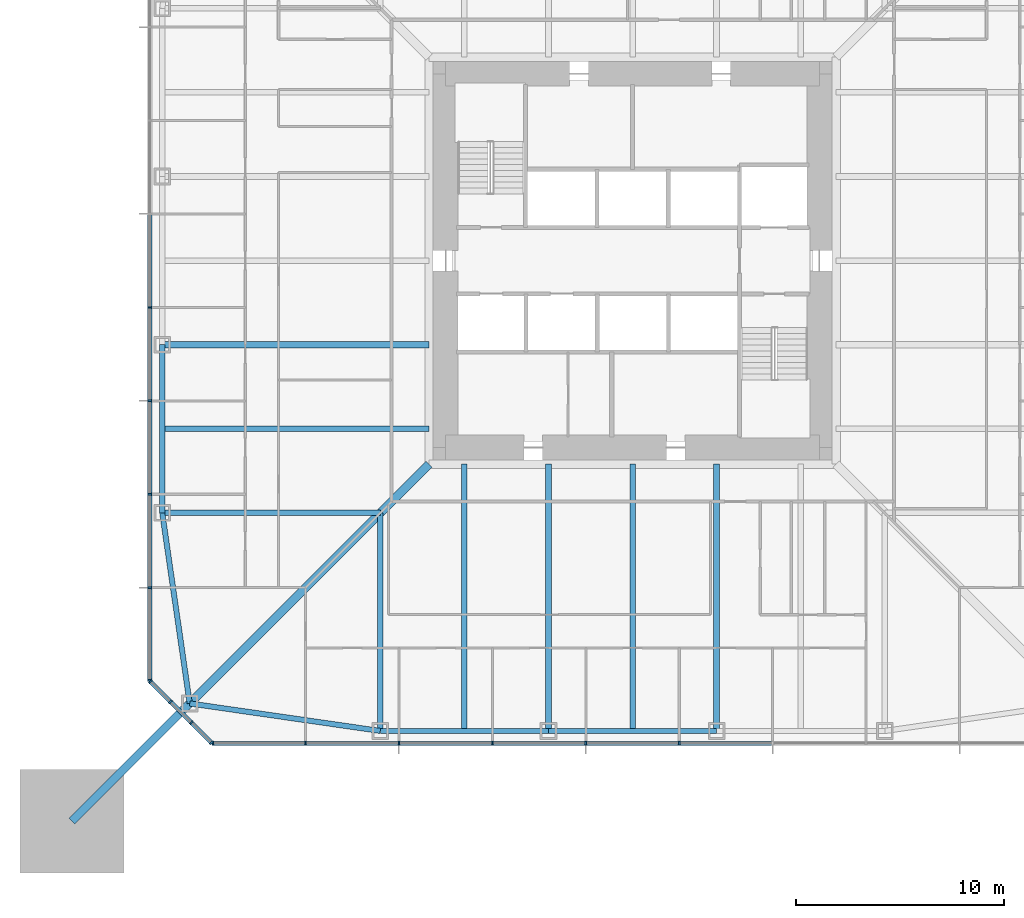
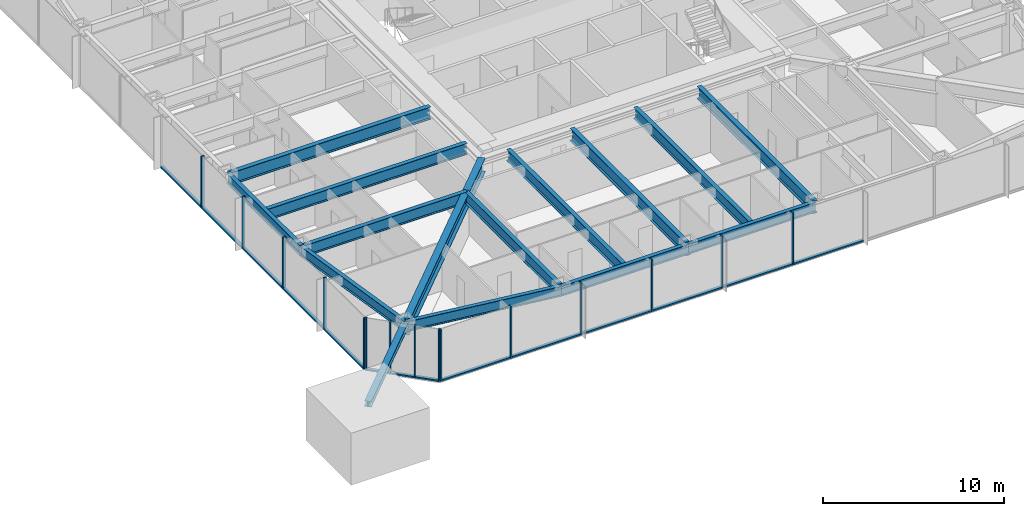
# One storey, part 3 of 26: 30 members, 14 beams, 3 elements without a shape of their own.
"""IFC4 building model written with IfcOpenShell, lengths in metres."""

import ifcopenshell
import ifcopenshell.guid

model = None  # the IFC model being written
_history = None  # IfcOwnerHistory: only IFC2X3 demands one
_inside = {}  # id of a spatial element -> (the spatial element, [elements in it])
_under = {}  # id of a project, library or spatial element -> (it, [spatial elements below it])
_declared = {}  # id of a project -> (the project, [libraries it declares])
_typed = {}  # id of a type object -> (the type object, [elements of that type])
_made_of = {}  # id of a material, layer set ... -> (it, [elements and type objects made of it])


def new_model(schema):
    """Start an empty IFC model of exactly this schema.

    Asked for "IFC4X3", IfcOpenShell would pick the latest addendum, in which some entities
    have other attributes; the version numbers below select the first issue.
    IFC2X3 requires an IfcOwnerHistory on every rooted entity: one is made here for all.
    """
    global model, _history
    if schema == "IFC4X3":
        model = ifcopenshell.file(schema_version=(4, 3, 0, 0))
    else:
        model = ifcopenshell.file(schema=schema)
    _inside.clear()
    _under.clear()
    _declared.clear()
    _typed.clear()
    _made_of.clear()
    _history = None
    if model.schema == "IFC2X3":
        org = make("IfcOrganization", Name="unknown")
        user = make(
            "IfcPersonAndOrganization",
            ThePerson=make("IfcPerson", FamilyName="unknown"),
            TheOrganization=org,
        )
        app = make(
            "IfcApplication",
            ApplicationDeveloper=org,
            Version="unknown",
            ApplicationFullName="unknown",
            ApplicationIdentifier="unknown",
        )
        _history = make(
            "IfcOwnerHistory",
            OwningUser=user,
            OwningApplication=app,
            ChangeAction="ADDED",
            CreationDate=0,
        )
    return model


def make(cls, **values):
    """One entity of the class cls with the attributes given. An attribute that is None is left unset."""
    return model.create_entity(
        cls, **{name: value for name, value in values.items() if value is not None}
    )


def rooted(cls, **values):
    """An entity with a GlobalId (a new one), such as an element, a storey or a relation."""
    return make(cls, GlobalId=ifcopenshell.guid.new(), OwnerHistory=_history, **values)


def si_unit(unit_type, name, prefix=None):
    """IfcSIUnit, for example si_unit("LENGTHUNIT", "METRE", prefix="MILLI")."""
    return make("IfcSIUnit", UnitType=unit_type, Prefix=prefix, Name=name)


def assignment(units):
    """IfcUnitAssignment: the units of a project."""
    return None if units is None else make("IfcUnitAssignment", Units=units)


def point(xyz):
    """IfcCartesianPoint."""
    return None if xyz is None else make("IfcCartesianPoint", Coordinates=xyz)


def direction(xyz):
    """IfcDirection."""
    return None if xyz is None else make("IfcDirection", DirectionRatios=xyz)


def frame(location, z_axis=None, x_axis=None):
    """IfcAxis2Placement3D, a coordinate frame: its origin and axes. An axis left out is left unset."""
    return make(
        "IfcAxis2Placement3D",
        Location=point(location),
        Axis=direction(z_axis),
        RefDirection=direction(x_axis),
    )


def frame_2d(location, x_axis=None):
    """IfcAxis2Placement2D, a coordinate frame in the plane: its origin and x axis."""
    return make(
        "IfcAxis2Placement2D", Location=point(location), RefDirection=direction(x_axis)
    )


def origin():
    """The frame at (0, 0, 0) with its axes left unset."""
    return frame((0.0, 0.0, 0.0))


def origin_2d():
    """The frame at (0, 0) in the plane with its x axis left unset."""
    return frame_2d((0.0, 0.0))


def place(relative_to, where):
    """IfcLocalPlacement: puts the frame where relative to a parent placement (None: the world)."""
    return make(
        "IfcLocalPlacement", PlacementRelTo=relative_to, RelativePlacement=where
    )


def context(
    kind, dimensions, precision=None, world=None, true_north=None, identifier=None
):
    """IfcGeometricRepresentationContext, for example the 3D "Model" context."""
    return make(
        "IfcGeometricRepresentationContext",
        ContextIdentifier=identifier,
        ContextType=kind,
        CoordinateSpaceDimension=dimensions,
        Precision=precision,
        WorldCoordinateSystem=world,
        TrueNorth=true_north,
    )


def subcontext(parent, identifier, kind, view, scale=None):
    """IfcGeometricRepresentationSubContext, for example "Body" below "Model"."""
    return make(
        "IfcGeometricRepresentationSubContext",
        ContextIdentifier=identifier,
        ContextType=kind,
        ParentContext=parent,
        TargetScale=scale,
        TargetView=view,
    )


def project(units=None, contexts=None):
    """IfcProject with its units and contexts."""
    return rooted(
        "IfcProject",
        Name="project",
        RepresentationContexts=contexts,
        UnitsInContext=assignment(units),
    )


def spatial(cls, under=None, at=None, **own):
    """A site, building, storey or space (cls), placed at a placement, below another one or the project."""
    s = rooted(cls, ObjectPlacement=at, **own)
    if under is not None:
        _under.setdefault(under.id(), (under, []))[1].append(s)
    return s


def profile(cls, at=None, kind="AREA", **sizes):
    """A parametric profile (cls). Its sizes go by their IFC names, for example OverallWidth=200.0."""
    return make(cls, ProfileType=kind, Position=at, **sizes)


def rectangle(**sizes):
    """IfcRectangleProfileDef."""
    return profile("IfcRectangleProfileDef", **sizes)


def i_section(**sizes):
    """IfcIShapeProfileDef."""
    return profile("IfcIShapeProfileDef", **sizes)


def extrude(swept, where, along, depth):
    """IfcExtrudedAreaSolid: the profile swept, set in the frame where, extruded along a direction by depth."""
    return make(
        "IfcExtrudedAreaSolid",
        SweptArea=swept,
        Position=where,
        ExtrudedDirection=direction(along),
        Depth=depth,
    )


def shape(context_of_items, identifier, shape_type, items):
    """IfcShapeRepresentation: the items that make up one representation, for example the "Body"."""
    return make(
        "IfcShapeRepresentation",
        ContextOfItems=context_of_items,
        RepresentationIdentifier=identifier,
        RepresentationType=shape_type,
        Items=items,
    )


def material(Name=None, Category=None):
    """IfcMaterial."""
    return make("IfcMaterial", Name=Name, Category=Category)


def material_profile(
    of_material, cross_section, Name=None, Category=None, Priority=None
):
    """IfcMaterialProfile: a cross section and its material."""
    return make(
        "IfcMaterialProfile",
        Name=Name,
        Material=of_material,
        Profile=cross_section,
        Priority=Priority,
        Category=Category,
    )


def profile_set(profiles, Name=None, composite=None):
    """IfcMaterialProfileSet."""
    return make(
        "IfcMaterialProfileSet",
        Name=Name,
        MaterialProfiles=profiles,
        CompositeProfile=composite,
    )


def made_of(thing, what):
    """Note that an element or type object is made of a material, layer set ...; save() writes the relation."""
    if what is not None:
        _made_of.setdefault(what.id(), (what, []))[1].append(thing)
    return thing


def type_object(cls, material=None, **own):
    """A type object (cls), such as IfcWallType, which elements share."""
    return made_of(rooted(cls, **own), material)


def element(
    cls,
    number,
    at=None,
    inside=None,
    cuts=None,
    type_object=None,
    material=None,
    context=None,
    identifier="Body",
    shape_type=None,
    held_by="IfcProductDefinitionShape",
    body=None,
    shapes=None,
    **own,
):
    """One element of the class cls, such as IfcWall. Its Tag is "e" and its number.

    at: its placement. inside: the storey or other place that contains it. cuts: it is an
    opening in that element (IfcRelVoidsElement). A single representation is given by context,
    identifier, shape_type and body (its items); several are given by shapes. held_by: the class
    of the entity that holds the representations. save() writes the other relations.
    """
    e = rooted(cls, Tag="e%d" % number, ObjectPlacement=at, **own)
    if body is not None:
        shapes = [shape(context, identifier, shape_type, body)]
    if shapes is not None:
        e.Representation = make(held_by, Representations=shapes)
    if inside is not None:
        _inside.setdefault(inside.id(), (inside, []))[1].append(e)
    if cuts is not None:
        rooted(
            "IfcRelVoidsElement", RelatingBuildingElement=cuts, RelatedOpeningElement=e
        )
    if type_object is not None:
        _typed.setdefault(type_object.id(), (type_object, []))[1].append(e)
    return made_of(e, material)


def aggregate(whole, parts):
    """IfcRelAggregates: a whole, such as a stair, and the parts it consists of."""
    return rooted("IfcRelAggregates", RelatingObject=whole, RelatedObjects=parts)


def save(model, path):
    """Write the relations noted so far, then the file.

    IfcRelAggregates (storeys below a building ...), IfcRelContainedInSpatialStructure (elements
    in a storey), IfcRelDefinesByType, IfcRelAssociatesMaterial and IfcRelDeclares: one each for
    every whole, place, type object, material and project.
    """
    for whole, parts in _under.values():
        aggregate(whole, parts)
    for where, things in _inside.values():
        rooted(
            "IfcRelContainedInSpatialStructure",
            RelatedElements=things,
            RelatingStructure=where,
        )
    for kind, things in _typed.values():
        rooted("IfcRelDefinesByType", RelatedObjects=things, RelatingType=kind)
    for what, things in _made_of.values():
        rooted("IfcRelAssociatesMaterial", RelatedObjects=things, RelatingMaterial=what)
    for by, libraries in _declared.values():
        rooted("IfcRelDeclares", RelatingContext=by, RelatedDefinitions=libraries)
    model.write(path)


model = new_model("IFC4")

# Units and contexts
model_context = context("Model", 3, precision=1e-05, world=origin(), true_north=direction((0.0, 1.0)))
body_context = subcontext(model_context, "Body", "Model", "MODEL_VIEW")
ifc_project = project(units=[si_unit("LENGTHUNIT", "METRE"), si_unit("AREAUNIT", "SQUARE_METRE"), si_unit("VOLUMEUNIT", "CUBIC_METRE"), si_unit("PLANEANGLEUNIT", "RADIAN"), si_unit("MASSUNIT", "GRAM", prefix="KILO")], contexts=[model_context])

# Site, building, storey
site_placement = place(None, origin())
site = spatial("IfcSite", under=ifc_project, at=site_placement, CompositionType="ELEMENT")
building_placement = place(site_placement, origin())
building = spatial("IfcBuilding", under=site, at=building_placement, Name="Iwan Alto Co-Living Towers", CompositionType="ELEMENT")
storey_placement = place(building_placement, frame((0.0, 0.0, 29.0)))
storey = spatial("IfcBuildingStorey", under=building, at=storey_placement, Name="L07", CompositionType="ELEMENT", Elevation=29.0)

# Curtain wall, members
ifc_material_1 = material(Name="Bronze aluminium unitised frame", Category="aluminium")
curtain_wall_type_1 = type_object("IfcCurtainWallType", Name="CURTAIN WALL CW-A", PredefinedType="NOTDEFINED", material=ifc_material_1)
curtain_wall_1_placement = place(storey_placement, origin())
curtain_wall_1 = element("IfcCurtainWall", 1, at=curtain_wall_1_placement, inside=storey, type_object=curtain_wall_type_1, Name="T1 curtain wall S L07", PredefinedType="NOTDEFINED")
ifc_material_2 = material(Name="Aluminium 6063-T6 bronze anodised", Category="aluminium")
ifc_material_profile_1 = material_profile(ifc_material_2, rectangle(XDim=0.199951171875, YDim=0.080078125, at=origin_2d()), Name="AL 80X200")
ifc_profile_set_1 = profile_set([ifc_material_profile_1], Name="Aluminium 6063-T6 bronze anodised")
member_type_1 = type_object("IfcMemberType", Name="CW-A MULLION 80X200", PredefinedType="MULLION", material=ifc_profile_set_1)
member_1_placement = place(storey_placement, frame((-20.2099609375, -23.25, 0.0), z_axis=(0.0, 0.0, 1.0), x_axis=(0.0, 1.0, 0.0)))
member_1 = element("IfcMember", 2, at=member_1_placement, type_object=member_type_1, Name="CW-A mullion 1", PredefinedType="MULLION", context=body_context, shape_type="SweptSolid", body=[
    extrude(rectangle(XDim=0.199951171875, YDim=0.080078125, at=origin_2d()), origin(), (0.0, 0.0, 1.0), 3.5),
])
member_2_placement = place(storey_placement, frame((-15.75, -23.25, 0.0), z_axis=(0.0, 0.0, 1.0), x_axis=(0.0, 1.0, 0.0)))
member_2 = element("IfcMember", 3, at=member_2_placement, type_object=member_type_1, Name="CW-A mullion 2", PredefinedType="MULLION", context=body_context, shape_type="SweptSolid", body=[
    extrude(rectangle(XDim=0.199951171875, YDim=0.080078125, at=origin_2d()), origin(), (0.0, 0.0, 1.0), 3.5),
])
member_3_placement = place(storey_placement, frame((-11.25, -23.25, 0.0), z_axis=(0.0, 0.0, 1.0), x_axis=(0.0, 1.0, 0.0)))
member_3 = element("IfcMember", 4, at=member_3_placement, type_object=member_type_1, Name="CW-A mullion 3", PredefinedType="MULLION", context=body_context, shape_type="SweptSolid", body=[
    extrude(rectangle(XDim=0.199951171875, YDim=0.080078125, at=origin_2d()), origin(), (0.0, 0.0, 1.0), 3.5),
])
member_4_placement = place(storey_placement, frame((-6.75, -23.25, 0.0), z_axis=(0.0, 0.0, 1.0), x_axis=(0.0, 1.0, 0.0)))
member_4 = element("IfcMember", 5, at=member_4_placement, type_object=member_type_1, Name="CW-A mullion 4", PredefinedType="MULLION", context=body_context, shape_type="SweptSolid", body=[
    extrude(rectangle(XDim=0.199951171875, YDim=0.080078125, at=origin_2d()), origin(), (0.0, 0.0, 1.0), 3.5),
])
member_5_placement = place(storey_placement, frame((-2.25, -23.25, 0.0), z_axis=(0.0, 0.0, 1.0), x_axis=(0.0, 1.0, 0.0)))
member_5 = element("IfcMember", 6, at=member_5_placement, type_object=member_type_1, Name="CW-A mullion 5", PredefinedType="MULLION", context=body_context, shape_type="SweptSolid", body=[
    extrude(rectangle(XDim=0.199951171875, YDim=0.080078125, at=origin_2d()), origin(), (0.0, 0.0, 1.0), 3.5),
])
member_6_placement = place(storey_placement, frame((2.25, -23.25, 0.0), z_axis=(0.0, 0.0, 1.0), x_axis=(0.0, 1.0, 0.0)))
member_6 = element("IfcMember", 7, at=member_6_placement, type_object=member_type_1, Name="CW-A mullion 6", PredefinedType="MULLION", context=body_context, shape_type="SweptSolid", body=[
    extrude(rectangle(XDim=0.199951171875, YDim=0.080078125, at=origin_2d()), origin(), (0.0, 0.0, 1.0), 3.5),
])

curtain_wall_2_placement = place(storey_placement, origin())
curtain_wall_2 = element("IfcCurtainWall", 8, at=curtain_wall_2_placement, inside=storey, type_object=curtain_wall_type_1, Name="T1 curtain wall W L07", PredefinedType="NOTDEFINED")
member_7_placement = place(storey_placement, frame((-23.25, -2.25, 0.0), z_axis=(0.0, 0.0, 1.0), x_axis=(1.0, 0.0, 0.0)))
member_7 = element("IfcMember", 9, at=member_7_placement, type_object=member_type_1, Name="CW-A mullion 6", PredefinedType="MULLION", context=body_context, shape_type="SweptSolid", body=[
    extrude(rectangle(XDim=0.199951171875, YDim=0.080078125, at=origin_2d()), origin(), (0.0, 0.0, 1.0), 3.5),
])
member_8_placement = place(storey_placement, frame((-23.25, -6.75, 0.0), z_axis=(0.0, 0.0, 1.0), x_axis=(1.0, 0.0, 0.0)))
member_8 = element("IfcMember", 10, at=member_8_placement, type_object=member_type_1, Name="CW-A mullion 7", PredefinedType="MULLION", context=body_context, shape_type="SweptSolid", body=[
    extrude(rectangle(XDim=0.199951171875, YDim=0.080078125, at=origin_2d()), origin(), (0.0, 0.0, 1.0), 3.5),
])
member_9_placement = place(storey_placement, frame((-23.25, -11.25, 0.0), z_axis=(0.0, 0.0, 1.0), x_axis=(1.0, 0.0, 0.0)))
member_9 = element("IfcMember", 11, at=member_9_placement, type_object=member_type_1, Name="CW-A mullion 8", PredefinedType="MULLION", context=body_context, shape_type="SweptSolid", body=[
    extrude(rectangle(XDim=0.199951171875, YDim=0.080078125, at=origin_2d()), origin(), (0.0, 0.0, 1.0), 3.5),
])
member_10_placement = place(storey_placement, frame((-23.25, -15.75, 0.0), z_axis=(0.0, 0.0, 1.0), x_axis=(1.0, 0.0, 0.0)))
member_10 = element("IfcMember", 12, at=member_10_placement, type_object=member_type_1, Name="CW-A mullion 9", PredefinedType="MULLION", context=body_context, shape_type="SweptSolid", body=[
    extrude(rectangle(XDim=0.199951171875, YDim=0.080078125, at=origin_2d()), origin(), (0.0, 0.0, 1.0), 3.5),
])
member_11_placement = place(storey_placement, frame((-23.25, -20.2099609375, 0.0), z_axis=(0.0, 0.0, 1.0), x_axis=(1.0, 0.0, 0.0)))
member_11 = element("IfcMember", 13, at=member_11_placement, type_object=member_type_1, Name="CW-A mullion 10", PredefinedType="MULLION", context=body_context, shape_type="SweptSolid", body=[
    extrude(rectangle(XDim=0.199951171875, YDim=0.080078125, at=origin_2d()), origin(), (0.0, 0.0, 1.0), 3.5),
])

# Member
ifc_material_3 = material(Name="Aluminium 6063-T6 bronze anodised", Category="aluminium")
ifc_material_profile_2 = material_profile(ifc_material_3, rectangle(XDim=0.199951171875, YDim=0.10009765625, at=origin_2d()), Name="AL 200X100")
ifc_profile_set_2 = profile_set([ifc_material_profile_2], Name="Aluminium 6063-T6 bronze anodised")
member_type_2 = type_object("IfcMemberType", Name="CW-A TRANSOM 200X100", PredefinedType="USERDEFINED", material=ifc_profile_set_2)
member_12_placement = place(storey_placement, frame((-20.169921875, -23.25, 0.050048828125), z_axis=(1.0, 0.0, 0.0), x_axis=(0.0, 1.0, 0.0)))
member_12 = element("IfcMember", 14, at=member_12_placement, type_object=member_type_2, Name="CW-A transom 1.1", ObjectType="TRANSOM", PredefinedType="USERDEFINED", context=body_context, shape_type="SweptSolid", body=[
    extrude(rectangle(XDim=0.199951171875, YDim=0.10009765625, at=origin_2d()), origin(), (0.0, 0.0, 1.0), 4.3798828125),
])

member_13_placement = place(storey_placement, frame((-15.7099609375, -23.25, 0.050048828125), z_axis=(1.0, 0.0, 0.0), x_axis=(0.0, 1.0, 0.0)))
member_13 = element("IfcMember", 15, at=member_13_placement, type_object=member_type_2, Name="CW-A transom 2.1", ObjectType="TRANSOM", PredefinedType="USERDEFINED", context=body_context, shape_type="SweptSolid", body=[
    extrude(rectangle(XDim=0.199951171875, YDim=0.10009765625, at=origin_2d()), origin(), (0.0, 0.0, 1.0), 4.419921875),
])

member_14_placement = place(storey_placement, frame((-11.2099609375, -23.25, 0.050048828125), z_axis=(1.0, 0.0, 0.0), x_axis=(0.0, 1.0, 0.0)))
member_14 = element("IfcMember", 16, at=member_14_placement, type_object=member_type_2, Name="CW-A transom 3.1", ObjectType="TRANSOM", PredefinedType="USERDEFINED", context=body_context, shape_type="SweptSolid", body=[
    extrude(rectangle(XDim=0.199951171875, YDim=0.10009765625, at=origin_2d()), origin(), (0.0, 0.0, 1.0), 4.419921875),
])

member_15_placement = place(storey_placement, frame((-6.7099609375, -23.25, 0.050048828125), z_axis=(1.0, 0.0, 0.0), x_axis=(0.0, 1.0, 0.0)))
member_15 = element("IfcMember", 17, at=member_15_placement, type_object=member_type_2, Name="CW-A transom 4.1", ObjectType="TRANSOM", PredefinedType="USERDEFINED", context=body_context, shape_type="SweptSolid", body=[
    extrude(rectangle(XDim=0.199951171875, YDim=0.10009765625, at=origin_2d()), origin(), (0.0, 0.0, 1.0), 4.419921875),
])

member_16_placement = place(storey_placement, frame((-2.2099609375, -23.25, 0.050048828125), z_axis=(1.0, 0.0, 0.0), x_axis=(0.0, 1.0, 0.0)))
member_16 = element("IfcMember", 18, at=member_16_placement, type_object=member_type_2, Name="CW-A transom 5.1", ObjectType="TRANSOM", PredefinedType="USERDEFINED", context=body_context, shape_type="SweptSolid", body=[
    extrude(rectangle(XDim=0.199951171875, YDim=0.10009765625, at=origin_2d()), origin(), (0.0, 0.0, 1.0), 4.419921875),
])

member_17_placement = place(storey_placement, frame((2.2900390625, -23.25, 0.050048828125), z_axis=(1.0, 0.0, 0.0), x_axis=(0.0, 1.0, 0.0)))
member_17 = element("IfcMember", 19, at=member_17_placement, type_object=member_type_2, Name="CW-A transom 6.1", ObjectType="TRANSOM", PredefinedType="USERDEFINED", context=body_context, shape_type="SweptSolid", body=[
    extrude(rectangle(XDim=0.199951171875, YDim=0.10009765625, at=origin_2d()), origin(), (0.0, 0.0, 1.0), 4.419921875),
])

aggregate(curtain_wall_1, [member_1, member_2, member_3, member_4, member_5, member_6, member_12, member_13, member_14, member_15, member_16, member_17])

member_18_placement = place(storey_placement, frame((-23.25, 2.2099609375, 0.050048828125), z_axis=(0.0, -1.0, 0.0), x_axis=(1.0, 0.0, 0.0)))
member_18 = element("IfcMember", 20, at=member_18_placement, type_object=member_type_2, Name="CW-A transom 5.1", ObjectType="TRANSOM", PredefinedType="USERDEFINED", context=body_context, shape_type="SweptSolid", body=[
    extrude(rectangle(XDim=0.199951171875, YDim=0.10009765625, at=origin_2d()), origin(), (0.0, 0.0, 1.0), 4.419921875),
])

member_19_placement = place(storey_placement, frame((-23.25, -2.2900390625, 0.050048828125), z_axis=(0.0, -1.0, 0.0), x_axis=(1.0, 0.0, 0.0)))
member_19 = element("IfcMember", 21, at=member_19_placement, type_object=member_type_2, Name="CW-A transom 6.1", ObjectType="TRANSOM", PredefinedType="USERDEFINED", context=body_context, shape_type="SweptSolid", body=[
    extrude(rectangle(XDim=0.199951171875, YDim=0.10009765625, at=origin_2d()), origin(), (0.0, 0.0, 1.0), 4.419921875),
])

member_20_placement = place(storey_placement, frame((-23.25, -6.7900390625, 0.050048828125), z_axis=(0.0, -1.0, 0.0), x_axis=(1.0, 0.0, 0.0)))
member_20 = element("IfcMember", 22, at=member_20_placement, type_object=member_type_2, Name="CW-A transom 7.1", ObjectType="TRANSOM", PredefinedType="USERDEFINED", context=body_context, shape_type="SweptSolid", body=[
    extrude(rectangle(XDim=0.199951171875, YDim=0.10009765625, at=origin_2d()), origin(), (0.0, 0.0, 1.0), 4.419921875),
])

member_21_placement = place(storey_placement, frame((-23.25, -11.2900390625, 0.050048828125), z_axis=(0.0, -1.0, 0.0), x_axis=(1.0, 0.0, 0.0)))
member_21 = element("IfcMember", 23, at=member_21_placement, type_object=member_type_2, Name="CW-A transom 8.1", ObjectType="TRANSOM", PredefinedType="USERDEFINED", context=body_context, shape_type="SweptSolid", body=[
    extrude(rectangle(XDim=0.199951171875, YDim=0.10009765625, at=origin_2d()), origin(), (0.0, 0.0, 1.0), 4.419921875),
])

member_22_placement = place(storey_placement, frame((-23.25, -15.7900390625, 0.050048828125), z_axis=(0.0, -1.0, 0.0), x_axis=(1.0, 0.0, 0.0)))
member_22 = element("IfcMember", 24, at=member_22_placement, type_object=member_type_2, Name="CW-A transom 9.1", ObjectType="TRANSOM", PredefinedType="USERDEFINED", context=body_context, shape_type="SweptSolid", body=[
    extrude(rectangle(XDim=0.199951171875, YDim=0.10009765625, at=origin_2d()), origin(), (0.0, 0.0, 1.0), 4.3798828125),
])

aggregate(curtain_wall_2, [member_7, member_8, member_9, member_10, member_11, member_18, member_19, member_20, member_21, member_22])

# Curtain wall, members
ifc_material_4 = material(Name="Bronze aluminium unitised frame", Category="aluminium")
curtain_wall_type_2 = type_object("IfcCurtainWallType", Name="CURTAIN WALL CW-B", PredefinedType="NOTDEFINED", material=ifc_material_4)
curtain_wall_3_placement = place(storey_placement, origin())
curtain_wall_3 = element("IfcCurtainWall", 25, at=curtain_wall_3_placement, inside=storey, type_object=curtain_wall_type_2, Name="T1 chamfer curtain wall SW L07", PredefinedType="NOTDEFINED")
ifc_material_5 = material(Name="Aluminium 6063-T6 bronze anodised", Category="aluminium")
ifc_material_profile_3 = material_profile(ifc_material_5, rectangle(XDim=0.199951171875, YDim=0.080078125, at=origin_2d()), Name="AL 80X200")
ifc_profile_set_3 = profile_set([ifc_material_profile_3], Name="Aluminium 6063-T6 bronze anodised")
member_type_3 = type_object("IfcMemberType", Name="CW-B MULLION 80X200", PredefinedType="MULLION", material=ifc_profile_set_3)
member_23_placement = place(storey_placement, frame((-23.2216796875, -20.2783203125, 0.0), z_axis=(0.0, 0.0, 1.0), x_axis=(0.707106781187, 0.707106781187, 0.0)))
member_23 = element("IfcMember", 26, at=member_23_placement, type_object=member_type_3, Name="CW-B mullion 1", PredefinedType="MULLION", context=body_context, shape_type="SweptSolid", body=[
    extrude(rectangle(XDim=0.199951171875, YDim=0.080078125, at=origin_2d()), origin(), (0.0, 0.0, 1.0), 3.5),
])
member_24_placement = place(storey_placement, frame((-22.25, -21.25, 0.0), z_axis=(0.0, 0.0, 1.0), x_axis=(0.707106781187, 0.707106781187, 0.0)))
member_24 = element("IfcMember", 27, at=member_24_placement, type_object=member_type_3, Name="CW-B mullion 2", PredefinedType="MULLION", context=body_context, shape_type="SweptSolid", body=[
    extrude(rectangle(XDim=0.199951171875, YDim=0.080078125, at=origin_2d()), origin(), (0.0, 0.0, 1.0), 3.5),
])
member_25_placement = place(storey_placement, frame((-21.25, -22.25, 0.0), z_axis=(0.0, 0.0, 1.0), x_axis=(0.707106781187, 0.707106781187, 0.0)))
member_25 = element("IfcMember", 28, at=member_25_placement, type_object=member_type_3, Name="CW-B mullion 3", PredefinedType="MULLION", context=body_context, shape_type="SweptSolid", body=[
    extrude(rectangle(XDim=0.199951171875, YDim=0.080078125, at=origin_2d()), origin(), (0.0, 0.0, 1.0), 3.5),
])
member_26_placement = place(storey_placement, frame((-20.2783203125, -23.2216796875, 0.0), z_axis=(0.0, 0.0, 1.0), x_axis=(0.707106781187, 0.707106781187, 0.0)))
member_26 = element("IfcMember", 29, at=member_26_placement, type_object=member_type_3, Name="CW-B mullion 4", PredefinedType="MULLION", context=body_context, shape_type="SweptSolid", body=[
    extrude(rectangle(XDim=0.199951171875, YDim=0.080078125, at=origin_2d()), origin(), (0.0, 0.0, 1.0), 3.5),
])
ifc_material_6 = material(Name="Aluminium 6063-T6 bronze anodised", Category="aluminium")
ifc_material_profile_4 = material_profile(ifc_material_6, rectangle(XDim=0.199951171875, YDim=0.10009765625, at=origin_2d()), Name="AL 200X100")
ifc_profile_set_4 = profile_set([ifc_material_profile_4], Name="Aluminium 6063-T6 bronze anodised")
member_type_4 = type_object("IfcMemberType", Name="CW-B TRANSOM 200X100", PredefinedType="USERDEFINED", material=ifc_profile_set_4)
member_27_placement = place(storey_placement, frame((-23.193359375, -20.306640625, 0.050048828125), z_axis=(0.707106781187, -0.707106781187, 0.0), x_axis=(0.707106781187, 0.707106781187, 0.0)))
member_27 = element("IfcMember", 30, at=member_27_placement, type_object=member_type_4, Name="CW-B transom 1.1", ObjectType="TRANSOM", PredefinedType="USERDEFINED", context=body_context, shape_type="SweptSolid", body=[
    extrude(rectangle(XDim=0.199951171875, YDim=0.10009765625, at=origin_2d()), origin(), (0.0, 0.0, 1.0), 1.2939453125),
])
member_28_placement = place(storey_placement, frame((-22.2216796875, -21.2783203125, 0.050048828125), z_axis=(0.707106781187, -0.707106781187, 0.0), x_axis=(0.707106781187, 0.707106781187, 0.0)))
member_28 = element("IfcMember", 31, at=member_28_placement, type_object=member_type_4, Name="CW-B transom 2.1", ObjectType="TRANSOM", PredefinedType="USERDEFINED", context=body_context, shape_type="SweptSolid", body=[
    extrude(rectangle(XDim=0.199951171875, YDim=0.10009765625, at=origin_2d()), origin(), (0.0, 0.0, 1.0), 1.334228515625),
])
member_29_placement = place(storey_placement, frame((-21.2216796875, -22.2783203125, 0.050048828125), z_axis=(0.707106781187, -0.707106781187, 0.0), x_axis=(0.707106781187, 0.707106781187, 0.0)))
member_29 = element("IfcMember", 32, at=member_29_placement, type_object=member_type_4, Name="CW-B transom 3.1", ObjectType="TRANSOM", PredefinedType="USERDEFINED", context=body_context, shape_type="SweptSolid", body=[
    extrude(rectangle(XDim=0.199951171875, YDim=0.10009765625, at=origin_2d()), origin(), (0.0, 0.0, 1.0), 1.2939453125),
])
aggregate(curtain_wall_3, [member_23, member_24, member_25, member_26, member_27, member_28, member_29])

# Beams
ifc_material_7 = material(Name="Steel ASTM A992 Gr 50", Category="steel")
ifc_material_profile_5 = material_profile(ifc_material_7, i_section(OverallWidth=0.419189453125, OverallDepth=0.927001953125, WebThickness=0.019287109375, FlangeThickness=0.031982421875, at=origin_2d()), Name="W36X231")
ifc_profile_set_5 = profile_set([ifc_material_profile_5], Name="Steel ASTM A992 Gr 50")
beam_type_1 = type_object("IfcBeamType", Name="T1 CORNER GIRDER W36X231", PredefinedType="BEAM", material=ifc_profile_set_5)
beam_1_placement = place(storey_placement, frame((-21.32568359375, -21.32568359375, 2.806396484375), z_axis=(0.707106781187, 0.707106781187, 0.0), x_axis=(-0.707106781187, 0.707106781187, 0.0)))
element("IfcBeam", 33, at=beam_1_placement, inside=storey, type_object=beam_type_1, Name="T1 corner girder CSW L08", PredefinedType="BEAM", context=body_context, shape_type="SweptSolid", body=[
    extrude(i_section(OverallWidth=0.419189453125, OverallDepth=0.927001953125, WebThickness=0.019287109375, FlangeThickness=0.031982421875, at=origin_2d()), origin(), (0.0, 0.0, 1.0), 16.296875),
])
ifc_material_8 = material(Name="Steel ASTM A992 Gr 50", Category="steel")
ifc_material_profile_6 = material_profile(ifc_material_8, i_section(OverallWidth=0.25390625, OverallDepth=0.683349609375, WebThickness=0.012451171875, FlangeThickness=0.018798828125, at=origin_2d()), Name="W27X94")
ifc_profile_set_6 = profile_set([ifc_material_profile_6], Name="Steel ASTM A992 Gr 50")
beam_type_2 = type_object("IfcBeamType", Name="T1 EDGE BEAM W27X94", PredefinedType="BEAM", material=ifc_profile_set_6)
beam_2_placement = place(storey_placement, frame((-21.32568359375, -21.32568359375, 2.928466796875), z_axis=(0.989746234347, -0.142836940589, 0.0), x_axis=(0.142836940589, 0.989746234347, 0.0)))
element("IfcBeam", 34, at=beam_2_placement, inside=storey, type_object=beam_type_2, Name="T1 edge beam CSW L08", PredefinedType="BEAM", context=body_context, shape_type="SweptSolid", body=[
    extrude(i_section(OverallWidth=0.25390625, OverallDepth=0.683349609375, WebThickness=0.012451171875, FlangeThickness=0.018798828125, at=origin_2d()), origin(), (0.0, 0.0, 1.0), 9.270751953125),
])
beam_3_placement = place(storey_placement, frame((-12.14990234375, -22.64990234375, 2.928466796875), z_axis=(1.0, 0.0, 0.0), x_axis=(0.0, 1.0, 0.0)))
element("IfcBeam", 35, at=beam_3_placement, inside=storey, type_object=beam_type_2, Name="T1 edge beam S1 L08", PredefinedType="BEAM", context=body_context, shape_type="SweptSolid", body=[
    extrude(i_section(OverallWidth=0.25390625, OverallDepth=0.683349609375, WebThickness=0.012451171875, FlangeThickness=0.018798828125, at=origin_2d()), origin(), (0.0, 0.0, 1.0), 8.099853515625),
])
beam_4_placement = place(storey_placement, frame((-4.050048828125, -22.64990234375, 2.928466796875), z_axis=(1.0, 0.0, 0.0), x_axis=(0.0, 1.0, 0.0)))
element("IfcBeam", 36, at=beam_4_placement, inside=storey, type_object=beam_type_2, Name="T1 edge beam S2 L08", PredefinedType="BEAM", context=body_context, shape_type="SweptSolid", body=[
    extrude(i_section(OverallWidth=0.25390625, OverallDepth=0.683349609375, WebThickness=0.012451171875, FlangeThickness=0.018798828125, at=origin_2d()), origin(), (0.0, 0.0, 1.0), 8.10009765625),
])
beam_5_placement = place(storey_placement, frame((-22.64990234375, -4.050048828125, 2.928466796875), z_axis=(0.0, -1.0, 0.0), x_axis=(1.0, 0.0, 0.0)))
element("IfcBeam", 37, at=beam_5_placement, inside=storey, type_object=beam_type_2, Name="T1 edge beam W3 L08", PredefinedType="BEAM", context=body_context, shape_type="SweptSolid", body=[
    extrude(i_section(OverallWidth=0.25390625, OverallDepth=0.683349609375, WebThickness=0.012451171875, FlangeThickness=0.018798828125, at=origin_2d()), origin(), (0.0, 0.0, 1.0), 8.099853515625),
])
beam_6_placement = place(storey_placement, frame((-22.64990234375, -12.14990234375, 2.928466796875), z_axis=(0.142836940589, -0.989746234347, 0.0), x_axis=(0.989746234347, 0.142836940589, 0.0)))
element("IfcBeam", 38, at=beam_6_placement, inside=storey, type_object=beam_type_2, Name="T1 edge beam W4 L08", PredefinedType="BEAM", context=body_context, shape_type="SweptSolid", body=[
    extrude(i_section(OverallWidth=0.25390625, OverallDepth=0.683349609375, WebThickness=0.012451171875, FlangeThickness=0.018798828125, at=origin_2d()), origin(), (0.0, 0.0, 1.0), 9.270751953125),
])

# Member
ifc_material_9 = material(Name="Steel ASTM A992 Gr 50", Category="steel")
ifc_material_profile_7 = material_profile(ifc_material_9, i_section(OverallWidth=0.393798828125, OverallDepth=0.3759765625, WebThickness=0.017333984375, FlangeThickness=0.027587890625, at=origin_2d()), Name="W14X145")
ifc_profile_set_7 = profile_set([ifc_material_profile_7], Name="Steel ASTM A992 Gr 50")
member_type_5 = type_object("IfcMemberType", Name="T1 MEGA COLUMN FLOOR TIE W14X145", PredefinedType="STRUT", material=ifc_profile_set_7)
member_30_placement = place(storey_placement, frame((-27.0, -27.0, 3.08203125), z_axis=(0.707106781187, 0.707106781187, 0.0), x_axis=(-0.707106781187, 0.707106781187, 0.0)))
element("IfcMember", 39, at=member_30_placement, inside=storey, type_object=member_type_5, Name="T1 mega column floor tie SW L08", PredefinedType="STRUT", context=body_context, shape_type="SweptSolid", body=[
    extrude(i_section(OverallWidth=0.393798828125, OverallDepth=0.3759765625, WebThickness=0.017333984375, FlangeThickness=0.027587890625, at=origin_2d()), origin(), (0.0, 0.0, 1.0), 8.024658203125),
])

# Beams
ifc_material_10 = material(Name="Steel ASTM A992 Gr 50", Category="steel")
ifc_material_profile_8 = material_profile(ifc_material_10, i_section(OverallWidth=0.2666015625, OverallDepth=0.761962890625, WebThickness=0.014404296875, FlangeThickness=0.021484375, at=origin_2d()), Name="W30X116")
ifc_profile_set_8 = profile_set([ifc_material_profile_8], Name="Steel ASTM A992 Gr 50")
beam_type_3 = type_object("IfcBeamType", Name="T1 RADIAL BEAM W30X116", PredefinedType="BEAM", material=ifc_profile_set_8)
for number, where, z_axis, x_axis, name in (
    (40, (-12.14990234375, -22.64990234375, 2.888916015625), (0.0, 1.0, 0.0), (-1.0, 0.0, 0.0), "T1 radial beam S1 L08"),
    (41, (-22.64990234375, -12.14990234375, 2.888916015625), (1.0, 0.0, 0.0), (0.0, 1.0, 0.0), "T1 radial beam W4 L08"),
):
    element("IfcBeam", number, at=place(storey_placement, frame(where, z_axis=z_axis, x_axis=x_axis)), inside=storey, type_object=beam_type_3, Name=name, PredefinedType="BEAM", context=body_context, shape_type="SweptSolid", body=[
        extrude(i_section(OverallWidth=0.2666015625, OverallDepth=0.761962890625, WebThickness=0.014404296875, FlangeThickness=0.021484375, at=origin_2d()), origin(), (0.0, 0.0, 1.0), 10.5),
    ])
ifc_material_11 = material(Name="Steel ASTM A992 Gr 50", Category="steel")
ifc_material_profile_9 = material_profile(ifc_material_11, i_section(OverallWidth=0.2919921875, OverallDepth=0.8408203125, WebThickness=0.0146484375, FlangeThickness=0.021728515625, at=origin_2d()), Name="W33X130")
ifc_profile_set_9 = profile_set([ifc_material_profile_9], Name="Steel ASTM A992 Gr 50")
beam_type_4 = type_object("IfcBeamType", Name="T1 RADIAL BEAM W33X130", PredefinedType="BEAM", material=ifc_profile_set_9)
for number, where, z_axis, x_axis, name in (
    (42, (-4.050048828125, -22.64990234375, 2.849609375), (0.0, 1.0, 0.0), (-1.0, 0.0, 0.0), "T1 radial beam S2 L08"),
    (43, (4.050048828125, -22.64990234375, 2.849609375), (0.0, 1.0, 0.0), (-1.0, 0.0, 0.0), "T1 radial beam S3 L08"),
    (44, (-22.64990234375, -4.050048828125, 2.849609375), (1.0, 0.0, 0.0), (0.0, 1.0, 0.0), "T1 radial beam W3 L08"),
):
    element("IfcBeam", number, at=place(storey_placement, frame(where, z_axis=z_axis, x_axis=x_axis)), inside=storey, type_object=beam_type_4, Name=name, PredefinedType="BEAM", context=body_context, shape_type="SweptSolid", body=[
        extrude(i_section(OverallWidth=0.2919921875, OverallDepth=0.8408203125, WebThickness=0.0146484375, FlangeThickness=0.021728515625, at=origin_2d()), origin(), (0.0, 0.0, 1.0), 12.847900390625),
    ])
ifc_material_12 = material(Name="Steel ASTM A992 Gr 50", Category="steel")
ifc_material_profile_10 = material_profile(ifc_material_12, i_section(OverallWidth=0.2666015625, OverallDepth=0.761962890625, WebThickness=0.014404296875, FlangeThickness=0.021484375, at=origin_2d()), Name="W30X116")
ifc_profile_set_10 = profile_set([ifc_material_profile_10], Name="Steel ASTM A992 Gr 50")
beam_type_5 = type_object("IfcBeamType", Name="T1 SECONDARY BEAM W30X116", PredefinedType="JOIST", material=ifc_profile_set_10)
for number, where, z_axis, x_axis, name in (
    (45, (-8.10009765625, -22.64990234375, 2.888916015625), (0.0, 1.0, 0.0), (-1.0, 0.0, 0.0), "T1 secondary beam S1 L08"),
    (46, (0.0, -22.64990234375, 2.888916015625), (0.0, 1.0, 0.0), (-1.0, 0.0, 0.0), "T1 secondary beam S2 L08"),
    (47, (-22.64990234375, -8.10009765625, 2.888916015625), (1.0, 0.0, 0.0), (0.0, 1.0, 0.0), "T1 secondary beam W3 L08"),
):
    element("IfcBeam", number, at=place(storey_placement, frame(where, z_axis=z_axis, x_axis=x_axis)), inside=storey, type_object=beam_type_5, Name=name, PredefinedType="JOIST", context=body_context, shape_type="SweptSolid", body=[
        extrude(i_section(OverallWidth=0.2666015625, OverallDepth=0.761962890625, WebThickness=0.014404296875, FlangeThickness=0.021484375, at=origin_2d()), origin(), (0.0, 0.0, 1.0), 12.847900390625),
    ])

save(model, "model.ifc")
